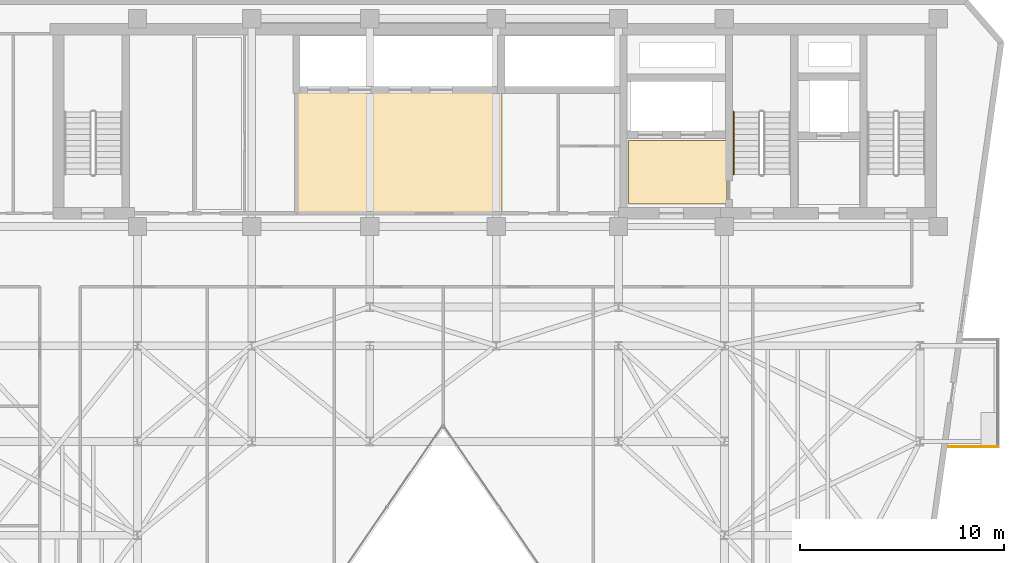
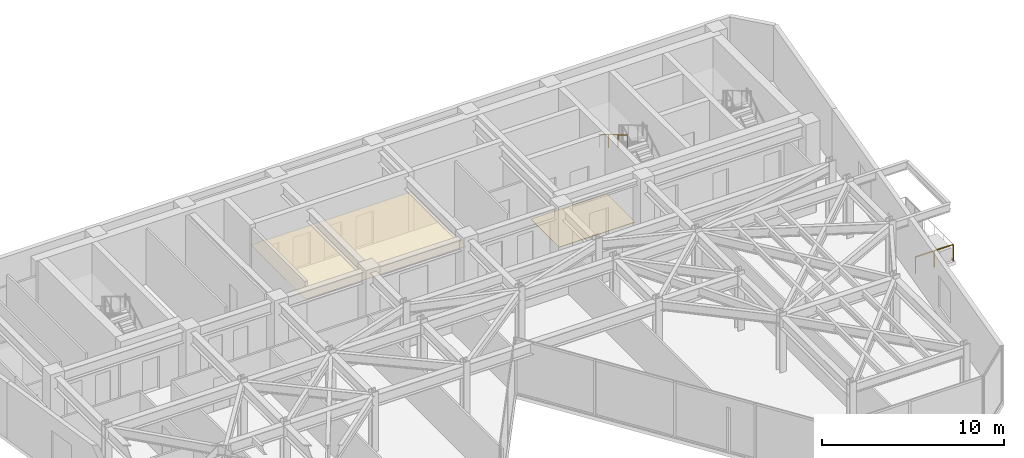
# One storey, part 20 of 21: 2 coverings, 2 railings.
"""IFC4 building model written with IfcOpenShell, lengths in metres."""

from ifc_helpers import new_model, si_unit, direction, frame, origin, origin_2d, place, context, subcontext, project, spatial, polyline, circle, outline, extrude, material, layer, layer_set, type_object, element, save


model = new_model("IFC4")

# Units and contexts
model_context = context("Model", 3, precision=1e-05, world=origin(), true_north=direction((0.0, 1.0)))
body_context = subcontext(model_context, "Body", "Model", "MODEL_VIEW")
ifc_project = project(units=[si_unit("LENGTHUNIT", "METRE"), si_unit("AREAUNIT", "SQUARE_METRE"), si_unit("VOLUMEUNIT", "CUBIC_METRE"), si_unit("PLANEANGLEUNIT", "RADIAN"), si_unit("MASSUNIT", "GRAM", prefix="KILO")], contexts=[model_context])

# Site, building, storey
site_placement = place(None, origin())
site = spatial("IfcSite", under=ifc_project, at=site_placement, CompositionType="ELEMENT")
building_placement = place(site_placement, origin())
building = spatial("IfcBuilding", under=site, at=building_placement, Name="Kravanh Interchange Tower", CompositionType="ELEMENT")
storey_placement = place(building_placement, frame((0.0, 0.0, 192.5)))
storey = spatial("IfcBuildingStorey", under=building, at=storey_placement, Name="L46", CompositionType="ELEMENT", Elevation=192.5)

# Coverings
ifc_material_1 = material(Name="Cementitious Terrazzo Tile")
ifc_layer_1 = layer(ifc_material_1, 0.030029296875)
ifc_layer_set_1 = layer_set([ifc_layer_1], Name="Honed Terrazzo Lobby Flooring 30mm")
covering_type_1 = type_object("IfcCoveringType", Name="Honed Terrazzo Lobby Flooring 30mm", PredefinedType="FLOORING", material=ifc_layer_set_1)
covering_1_placement = place(storey_placement, origin())
element("IfcCovering", 1, at=covering_1_placement, inside=storey, type_object=covering_type_1, Name="L46 Firefighting Lobby Floor Finish", PredefinedType="FLOORING", context=body_context, shape_type="SweptSolid", body=[
    extrude(outline(polyline([(56.1201171875, 38.4599609375), (51.300048828125, 38.4599609375), (51.300048828125, 41.580078125), (56.1201171875, 41.580078125), (56.1201171875, 38.4599609375)])), origin(), (0.0, 0.0, 1.0), 0.030029296875),
])
ifc_material_2 = material(Name="Acoustic Mineral Fibre Tile on Aluminium Grid", Category="aluminium")
ifc_layer_2 = layer(ifc_material_2, 0.02490234375)
ifc_layer_set_2 = layer_set([ifc_layer_2], Name="Perforated Acoustic Mineral Ceiling 25mm")
covering_type_2 = type_object("IfcCoveringType", Name="Perforated Acoustic Mineral Ceiling 25mm", PredefinedType="CEILING", material=ifc_layer_set_2)
covering_2_placement = place(storey_placement, frame((0.0, 0.0, 2.550048828125)))
element("IfcCovering", 2, at=covering_2_placement, inside=storey, type_object=covering_type_2, Name="L46 Mid-Rise Lift Lobby Suspended Ceiling", PredefinedType="CEILING", context=body_context, shape_type="SweptSolid", body=[
    extrude(outline(polyline([(45.090087890625, 37.9599609375), (34.93994140625, 37.9599609375), (34.93994140625, 43.989990234375), (45.090087890625, 43.989990234375), (45.090087890625, 37.9599609375)])), origin(), (0.0, 0.0, 1.0), 0.02490234375),
])

# Railings
ifc_material_3 = material(Name="Stainless Steel 316", Category="steel")
ifc_layer_3 = layer(ifc_material_3, 0.06005859375)
ifc_layer_set_3 = layer_set([ifc_layer_3], Name="Perimeter Balcony and Terrace Guardrail Stainless 316 1120mm")
railing_type_1 = type_object("IfcRailingType", Name="Perimeter Balcony and Terrace Guardrail Stainless 316 1120mm", PredefinedType="GUARDRAIL", material=ifc_layer_set_3)
railing_1_placement = place(storey_placement, frame((69.409912109375, 26.550048828125, 0.0)))
element("IfcRailing", 3, at=railing_1_placement, inside=storey, type_object=railing_type_1, Name="L46 E Balcony Guardrail 2", PredefinedType="GUARDRAIL", context=body_context, shape_type="SweptSolid", body=[
    extrude(circle(Radius=0.02392578125, at=origin_2d()), frame((0.0, 0.0, 1.09619140625), z_axis=(-1.0, 0.0, 0.0), x_axis=(0.0, -1.0, 0.0)), (0.0, 0.0, 1.0), 2.39892578125),
    extrude(circle(Radius=0.02099609375, at=origin_2d()), origin(), (0.0, 0.0, 1.0), 1.072021484375),
    extrude(circle(Radius=0.02099609375, at=origin_2d()), frame((-1.199462890625, 0.0, 0.0)), (0.0, 0.0, 1.0), 1.072021484375),
    extrude(circle(Radius=0.02099609375, at=origin_2d()), frame((-2.39892578125, 0.0, 0.0)), (0.0, 0.0, 1.0), 1.072021484375),
])
ifc_material_4 = material(Name="Stainless Steel 304", Category="steel")
ifc_layer_4 = layer(ifc_material_4, 0.044921875)
ifc_layer_set_4 = layer_set([ifc_layer_4], Name="Tubular Stair Handrail Stainless 304 900mm")
railing_type_2 = type_object("IfcRailingType", Name="Tubular Stair Handrail Stainless 304 900mm", PredefinedType="HANDRAIL", material=ifc_layer_set_4)
railing_2_placement = place(storey_placement, frame((56.449951171875, 42.97998046875, 2.166748046875)))
element("IfcRailing", 4, at=railing_2_placement, inside=storey, type_object=railing_type_2, Name="L46 ST2 stair handrail 2", PredefinedType="HANDRAIL", context=body_context, shape_type="SweptSolid", body=[
    extrude(circle(Radius=0.02392578125, at=origin_2d()), frame((0.0, 0.0, 0.8759765625), z_axis=(0.0, -0.859308565015, 0.511457515432), x_axis=(1.0, 0.0, 0.0)), (0.0, 0.0, 1.0), 3.58447265625),
    extrude(circle(Radius=0.02099609375, at=origin_2d()), origin(), (0.0, 0.0, 1.0), 0.851806640625),
    extrude(circle(Radius=0.02099609375, at=origin_2d()), frame((0.0, -1.026611328125, 0.611083984375)), (0.0, 0.0, 1.0), 0.851806640625),
    extrude(circle(Radius=0.02099609375, at=origin_2d()), frame((0.0, -2.053466796875, 1.22216796875)), (0.0, 0.0, 1.0), 0.851806640625),
    extrude(circle(Radius=0.02099609375, at=origin_2d()), frame((0.0, -3.080078125, 1.833251953125)), (0.0, 0.0, 1.0), 0.851806640625),
])

save(model, "model.ifc")
